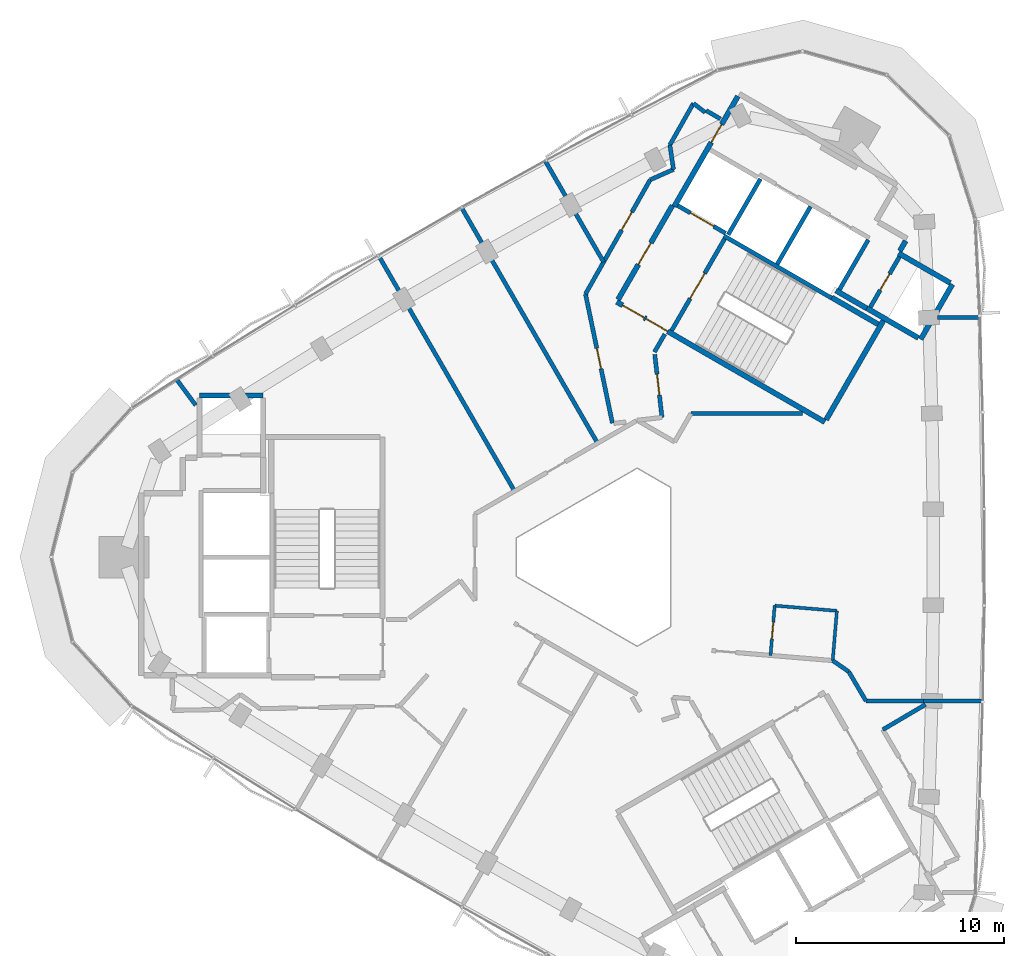
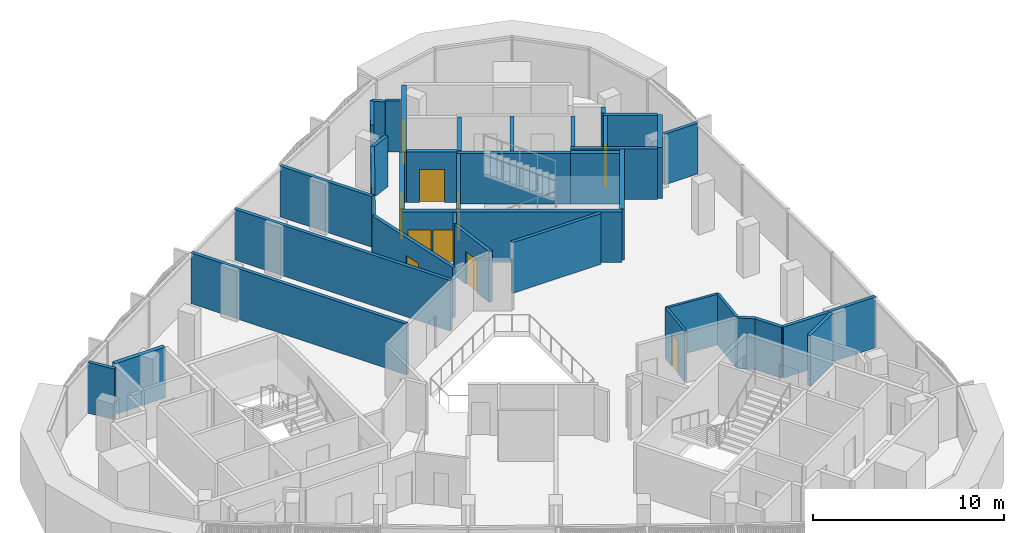
# One storey, part 8 of 12: 41 walls, 11 doors, 11 openings.
"""IFC4 building model written with IfcOpenShell, lengths in metres."""

from ifc_helpers import new_model, si_unit, direction, frame, frame_2d, origin, place, context, subcontext, project, spatial, rectangle, extrude, material, layer, layer_set, type_object, element, fill, save


model = new_model("IFC4")

# Units and contexts
model_context = context("Model", 3, precision=1e-05, world=origin(), true_north=direction((0.0, 1.0)))
body_context = subcontext(model_context, "Body", "Model", "MODEL_VIEW")
ifc_project = project(units=[si_unit("LENGTHUNIT", "METRE"), si_unit("AREAUNIT", "SQUARE_METRE"), si_unit("VOLUMEUNIT", "CUBIC_METRE"), si_unit("PLANEANGLEUNIT", "RADIAN"), si_unit("MASSUNIT", "GRAM", prefix="KILO")], contexts=[model_context])

# Site, building, storey
site_placement = place(None, origin())
site = spatial("IfcSite", under=ifc_project, at=site_placement, CompositionType="ELEMENT")
building_placement = place(site_placement, origin())
building = spatial("IfcBuilding", under=site, at=building_placement, Name="Tamra Quay Hotel Tower", CompositionType="ELEMENT")
storey_placement = place(building_placement, frame((0.0, 0.0, 280.199951171875)))
storey = spatial("IfcBuildingStorey", under=building, at=storey_placement, Name="L71", CompositionType="ELEMENT", Elevation=280.199951171875)

# Wall
ifc_material_1 = material(Name="Concrete M70", Category="concrete")
ifc_layer_1 = layer(ifc_material_1, 0.199951171875)
ifc_layer_set_1 = layer_set([ifc_layer_1], Name="Concrete M70 core wall 200")
wall_type_1 = type_object("IfcWallType", Name="Concrete M70 core wall 200", PredefinedType="SHEAR", material=ifc_layer_set_1)
wall_1_placement = place(storey_placement, frame((10.7431640625, 12.4599609375, 0.0), z_axis=(0.0, 0.0, 1.0), x_axis=(-0.866018848283, 0.500011354289, 0.0)))
element("IfcWall", 1, at=wall_1_placement, inside=storey, type_object=wall_type_1, Name="CW2", PredefinedType="SHEAR", context=body_context, shape_type="SweptSolid", body=[
    extrude(rectangle(XDim=5.973876953125, YDim=0.199951171875, at=frame_2d((2.98681640625, 0.0))), origin(), (0.0, 0.0, 1.0), 3.25),
])

# Wall, opening, door
wall_2_placement = place(storey_placement, frame((3.056640625, 10.89453125, 0.0), z_axis=(0.0, 0.0, 1.0), x_axis=(0.500027839223, 0.866009330205, 0.0)))
wall_2 = element("IfcWall", 2, at=wall_2_placement, inside=storey, type_object=wall_type_1, Name="CW2", PredefinedType="SHEAR", context=body_context, shape_type="SweptSolid", body=[
    extrude(rectangle(XDim=5.097900390625, YDim=0.199951171875, at=frame_2d((2.548828125, 0.0))), origin(), (0.0, 0.0, 1.0), 3.25),
])
opening_1_placement = place(wall_2_placement, frame((1.77392578125, 0.0, 0.0)))
opening_1 = element("IfcOpeningElement", 3, at=opening_1_placement, cuts=wall_2, Name="Opening FD2", PredefinedType="OPENING", context=body_context, shape_type="SweptSolid", body=[
    extrude(rectangle(XDim=1.39990234375, YDim=2.10009765625, at=frame_2d((0.699951171875, 1.050048828125))), frame((0.0, 0.10986328125, 0.0), z_axis=(0.0, -1.0, 0.0), x_axis=(1.0, 0.0, 0.0)), (0.0, 0.0, 1.0), 0.219970703125),
])
ifc_material_2 = material(Name="Core door FD2 1400x2100 LH")
door_type_1 = type_object("IfcDoorType", Name="Core door FD2 1400x2100 LH", OperationType="NOTDEFINED", PredefinedType="DOOR", material=ifc_material_2)
door_1_placement = place(opening_1_placement, origin())
door_1 = element("IfcDoor", 4, at=door_1_placement, inside=storey, type_object=door_type_1, Name="FD2", OperationType="SINGLE_SWING_LEFT", OverallHeight=2.10009765625, OverallWidth=1.39990234375, PredefinedType="DOOR", context=body_context, shape_type="SweptSolid", body=[
    extrude(rectangle(XDim=1.39990234375, YDim=2.10009765625, at=frame_2d((0.699951171875, 1.050048828125))), frame((0.0, 0.02490234375, 0.0), z_axis=(0.0, -1.0, 0.0), x_axis=(1.0, 0.0, 0.0)), (0.0, 0.0, 1.0), 0.050048828125),
])
fill(opening_1, door_1)

# Wall
wall_3_placement = place(storey_placement, frame((8.131591796875, 14.08447265625, 0.0), z_axis=(0.0, 0.0, 1.0), x_axis=(0.500030834389, 0.86600760081, 0.0)))
element("IfcWall", 5, at=wall_3_placement, inside=storey, type_object=wall_type_1, Name="CW2", PredefinedType="SHEAR", context=body_context, shape_type="SweptSolid", body=[
    extrude(rectangle(XDim=3.197998046875, YDim=0.199951171875, at=frame_2d((1.59912109375, 0.0))), origin(), (0.0, 0.0, 1.0), 3.25),
])

# Wall, opening, door
wall_4_placement = place(storey_placement, frame((14.0078125, 14.442138671875, 0.0), z_axis=(0.0, 0.0, 1.0), x_axis=(-0.499986818241, -0.866033014143, 0.0)))
wall_4 = element("IfcWall", 6, at=wall_4_placement, inside=storey, type_object=wall_type_1, Name="CW2", PredefinedType="SHEAR", context=body_context, shape_type="SweptSolid", body=[
    extrude(rectangle(XDim=2.7978515625, YDim=0.199951171875, at=frame_2d((1.39892578125, 0.0))), origin(), (0.0, 0.0, 1.0), 3.25),
])
opening_2_placement = place(wall_4_placement, frame((0.948974609375, 0.0, 0.0)))
opening_2 = element("IfcOpeningElement", 7, at=opening_2_placement, cuts=wall_4, Name="Opening D1", PredefinedType="OPENING", context=body_context, shape_type="SweptSolid", body=[
    extrude(rectangle(XDim=0.89990234375, YDim=2.10009765625, at=frame_2d((0.449951171875, 1.050048828125))), frame((0.0, 0.10986328125, 0.0), z_axis=(0.0, -1.0, 0.0), x_axis=(1.0, 0.0, 0.0)), (0.0, 0.0, 1.0), 0.219970703125),
])
ifc_material_3 = material(Name="Core door D1 900x2100 RH")
door_type_2 = type_object("IfcDoorType", Name="Core door D1 900x2100 RH", OperationType="NOTDEFINED", PredefinedType="DOOR", material=ifc_material_3)
door_2_placement = place(opening_2_placement, origin())
door_2 = element("IfcDoor", 8, at=door_2_placement, inside=storey, type_object=door_type_2, Name="D1", OperationType="SINGLE_SWING_RIGHT", OverallHeight=2.10009765625, OverallWidth=0.89990234375, PredefinedType="DOOR", context=body_context, shape_type="SweptSolid", body=[
    extrude(rectangle(XDim=0.89990234375, YDim=2.10009765625, at=frame_2d((0.449951171875, 1.050048828125))), frame((0.0, 0.02490234375, 0.0), z_axis=(0.0, -1.0, 0.0), x_axis=(1.0, 0.0, 0.0)), (0.0, 0.0, 1.0), 0.050048828125),
])
fill(opening_2, door_2)

# Walls
wall_5_placement = place(storey_placement, frame((12.50244140625, 15.2548828125, 0.0), z_axis=(0.0, 0.0, 1.0), x_axis=(-0.499965018551, -0.866045599391, 0.0)))
element("IfcWall", 9, at=wall_5_placement, inside=storey, type_object=wall_type_1, Name="CW2", PredefinedType="SHEAR", context=body_context, shape_type="SweptSolid", body=[
    extrude(rectangle(XDim=2.759033203125, YDim=0.199951171875, at=frame_2d((1.37939453125, 0.0))), origin(), (0.0, 0.0, 1.0), 3.25),
])
wall_6_placement = place(storey_placement, frame((7.324462890625, 18.1865234375, 0.0), z_axis=(0.0, 0.0, 1.0), x_axis=(-0.499967891604, -0.866043940782, 0.0)))
element("IfcWall", 10, at=wall_6_placement, inside=storey, type_object=wall_type_1, Name="CW2", PredefinedType="SHEAR", context=body_context, shape_type="SweptSolid", body=[
    extrude(rectangle(XDim=3.099853515625, YDim=0.199951171875, at=frame_2d((1.5498046875, 0.0))), origin(), (0.0, 0.0, 1.0), 3.25),
])

# Wall, opening, door
wall_7_placement = place(storey_placement, frame((5.646240234375, 15.575927734375, 0.0), z_axis=(0.0, 0.0, 1.0), x_axis=(-0.866018407898, 0.500012117035, 0.0)))
wall_7 = element("IfcWall", 11, at=wall_7_placement, inside=storey, type_object=wall_type_1, Name="CW2", PredefinedType="SHEAR", context=body_context, shape_type="SweptSolid", body=[
    extrude(rectangle(XDim=2.65087890625, YDim=0.199951171875, at=frame_2d((1.325439453125, 0.0))), origin(), (0.0, 0.0, 1.0), 3.25),
])
opening_3_placement = place(wall_7_placement, frame((0.65185546875, 0.0, 0.0)))
opening_3 = element("IfcOpeningElement", 12, at=opening_3_placement, cuts=wall_7, Name="Opening LD", PredefinedType="OPENING", context=body_context, shape_type="SweptSolid", body=[
    extrude(rectangle(XDim=1.300048828125, YDim=2.10009765625, at=frame_2d((0.64990234375, 1.050048828125))), frame((0.0, 0.10986328125, 0.0), z_axis=(0.0, -1.0, 0.0), x_axis=(1.0, 0.0, 0.0)), (0.0, 0.0, 1.0), 0.219970703125),
])
ifc_material_4 = material(Name="Landing door LD 1300 sliding to left")
door_type_3 = type_object("IfcDoorType", Name="Landing door LD 1300 sliding to left", OperationType="NOTDEFINED", PredefinedType="DOOR", material=ifc_material_4)
door_3_placement = place(opening_3_placement, origin())
door_3 = element("IfcDoor", 13, at=door_3_placement, inside=storey, type_object=door_type_3, Name="LD", OperationType="SLIDING_TO_LEFT", OverallHeight=2.10009765625, OverallWidth=1.300048828125, PredefinedType="DOOR", context=body_context, shape_type="SweptSolid", body=[
    extrude(rectangle(XDim=1.300048828125, YDim=2.10009765625, at=frame_2d((0.64990234375, 1.050048828125))), frame((0.0, 0.02490234375, 0.0), z_axis=(0.0, -1.0, 0.0), x_axis=(1.0, 0.0, 0.0)), (0.0, 0.0, 1.0), 0.050048828125),
])
fill(opening_3, door_3)

# Wall
ifc_layer_2 = layer(ifc_material_1, 0.25)
ifc_layer_set_2 = layer_set([ifc_layer_2], Name="Concrete M70 core wall 250")
wall_type_2 = type_object("IfcWallType", Name="Concrete M70 core wall 250", PredefinedType="SHEAR", material=ifc_layer_set_2)
wall_8_placement = place(storey_placement, frame((-19.63720703125, 7.77490234375, 0.0), z_axis=(0.0, 0.0, 1.0), x_axis=(1.0, 0.0, 0.0)))
element("IfcWall", 14, at=wall_8_placement, inside=storey, type_object=wall_type_2, Name="CW1", PredefinedType="SHEAR", context=body_context, shape_type="SweptSolid", body=[
    extrude(rectangle(XDim=3.0498046875, YDim=0.25, at=frame_2d((1.52490234375, 0.0))), origin(), (0.0, 0.0, 1.0), 3.25),
])

# Wall, openings, doors
wall_9_placement = place(storey_placement, frame((10.419921875, 6.497802734375, 0.0), z_axis=(0.0, 0.0, 1.0), x_axis=(-0.866021906294, 0.500006057782, 0.0)))
wall_9 = element("IfcWall", 15, at=wall_9_placement, inside=storey, type_object=wall_type_2, Name="CW1", PredefinedType="SHEAR", context=body_context, shape_type="SweptSolid", body=[
    extrude(rectangle(XDim=11.550048828125, YDim=0.25, at=frame_2d((5.77490234375, 0.0))), origin(), (0.0, 0.0, 1.0), 3.25),
])
opening_4_placement = place(wall_9_placement, frame((10.02490234375, 0.0, 0.0)))
opening_4 = element("IfcOpeningElement", 16, at=opening_4_placement, cuts=wall_9, Name="Opening FD1", PredefinedType="OPENING", context=body_context, shape_type="SweptSolid", body=[
    extrude(rectangle(XDim=1.199951171875, YDim=2.10009765625, at=frame_2d((0.60009765625, 1.050048828125))), frame((0.0, 0.135009765625, 0.0), z_axis=(0.0, -1.0, 0.0), x_axis=(1.0, 0.0, 0.0)), (0.0, 0.0, 1.0), 0.27001953125),
])
opening_5_placement = place(wall_9_placement, frame((8.724853515625, 0.0, 0.0)))
opening_5 = element("IfcOpeningElement", 17, at=opening_5_placement, cuts=wall_9, Name="Opening FD1", PredefinedType="OPENING", context=body_context, shape_type="SweptSolid", body=[
    extrude(rectangle(XDim=1.199951171875, YDim=2.10009765625, at=frame_2d((0.60009765625, 1.050048828125))), frame((0.0, 0.135009765625, 0.0), z_axis=(0.0, -1.0, 0.0), x_axis=(1.0, 0.0, 0.0)), (0.0, 0.0, 1.0), 0.27001953125),
])
ifc_material_5 = material(Name="Core door FD1 1200x2100 LH")
door_type_4 = type_object("IfcDoorType", Name="Core door FD1 1200x2100 LH", OperationType="NOTDEFINED", PredefinedType="DOOR", material=ifc_material_5)
door_4_placement = place(opening_4_placement, origin())
door_4 = element("IfcDoor", 18, at=door_4_placement, inside=storey, type_object=door_type_4, Name="FD1", OperationType="SINGLE_SWING_LEFT", OverallHeight=2.10009765625, OverallWidth=1.199951171875, PredefinedType="DOOR", context=body_context, shape_type="SweptSolid", body=[
    extrude(rectangle(XDim=1.199951171875, YDim=2.10009765625, at=frame_2d((0.60009765625, 1.050048828125))), frame((0.0, 0.02490234375, 0.0), z_axis=(0.0, -1.0, 0.0), x_axis=(1.0, 0.0, 0.0)), (0.0, 0.0, 1.0), 0.050048828125),
])
fill(opening_4, door_4)
ifc_material_6 = material(Name="Core door FD1 1200x2100 RH")
door_type_5 = type_object("IfcDoorType", Name="Core door FD1 1200x2100 RH", OperationType="NOTDEFINED", PredefinedType="DOOR", material=ifc_material_6)
door_5_placement = place(opening_5_placement, origin())
door_5 = element("IfcDoor", 19, at=door_5_placement, inside=storey, type_object=door_type_5, Name="FD1", OperationType="SINGLE_SWING_RIGHT", OverallHeight=2.10009765625, OverallWidth=1.199951171875, PredefinedType="DOOR", context=body_context, shape_type="SweptSolid", body=[
    extrude(rectangle(XDim=1.199951171875, YDim=2.10009765625, at=frame_2d((0.60009765625, 1.050048828125))), frame((0.0, 0.02490234375, 0.0), z_axis=(0.0, -1.0, 0.0), x_axis=(1.0, 0.0, 0.0)), (0.0, 0.0, 1.0), 0.050048828125),
])
fill(opening_5, door_5)

# Wall, opening, door
wall_10_placement = place(storey_placement, frame((3.178955078125, 16.856201171875, 0.0), z_axis=(0.0, 0.0, 1.0), x_axis=(0.500001955336, 0.866024274868, 0.0)))
wall_10 = element("IfcWall", 20, at=wall_10_placement, inside=storey, type_object=wall_type_2, Name="CW1", PredefinedType="SHEAR", context=body_context, shape_type="SweptSolid", body=[
    extrude(rectangle(XDim=6.12451171875, YDim=0.25, at=frame_2d((3.062255859375, 0.0))), origin(), (0.0, 0.0, 1.0), 3.25),
])
opening_6_placement = place(wall_10_placement, frame((3.562744140625, 0.0, 0.0)))
opening_6 = element("IfcOpeningElement", 21, at=opening_6_placement, cuts=wall_10, Name="Opening FD3", PredefinedType="OPENING", context=body_context, shape_type="SweptSolid", body=[
    extrude(rectangle(XDim=1.0, YDim=2.10009765625, at=frame_2d((0.5, 1.050048828125))), frame((0.0, 0.135009765625, 0.0), z_axis=(0.0, -1.0, 0.0), x_axis=(1.0, 0.0, 0.0)), (0.0, 0.0, 1.0), 0.27001953125),
])
ifc_material_7 = material(Name="Core door FD3 1000x2100 LH")
door_type_6 = type_object("IfcDoorType", Name="Core door FD3 1000x2100 LH", OperationType="NOTDEFINED", PredefinedType="DOOR", material=ifc_material_7)
door_6_placement = place(opening_6_placement, origin())
door_6 = element("IfcDoor", 22, at=door_6_placement, inside=storey, type_object=door_type_6, Name="FD3", OperationType="SINGLE_SWING_LEFT", OverallHeight=2.10009765625, OverallWidth=1.0, PredefinedType="DOOR", context=body_context, shape_type="SweptSolid", body=[
    extrude(rectangle(XDim=1.0, YDim=2.10009765625, at=frame_2d((0.5, 1.050048828125))), frame((0.0, 0.02490234375, 0.0), z_axis=(0.0, -1.0, 0.0), x_axis=(1.0, 0.0, 0.0)), (0.0, 0.0, 1.0), 0.050048828125),
])
fill(opening_6, door_6)

wall_11_placement = place(storey_placement, frame((0.47998046875, 12.38134765625, 0.0), z_axis=(0.0, 0.0, 1.0), x_axis=(0.49999885962, 0.866026062182, 0.0)))
wall_11 = element("IfcWall", 23, at=wall_11_placement, inside=storey, type_object=wall_type_2, Name="CW1", PredefinedType="SHEAR", context=body_context, shape_type="SweptSolid", body=[
    extrude(rectangle(XDim=5.224609375, YDim=0.25, at=frame_2d((2.6123046875, 0.0))), origin(), (0.0, 0.0, 1.0), 3.25),
])
opening_7_placement = place(wall_11_placement, frame((1.94970703125, 0.0, 0.0)))
opening_7 = element("IfcOpeningElement", 24, at=opening_7_placement, cuts=wall_11, Name="Opening D2", PredefinedType="OPENING", context=body_context, shape_type="SweptSolid", body=[
    extrude(rectangle(XDim=1.199951171875, YDim=2.10009765625, at=frame_2d((0.60009765625, 1.050048828125))), frame((0.0, 0.135009765625, 0.0), z_axis=(0.0, -1.0, 0.0), x_axis=(1.0, 0.0, 0.0)), (0.0, 0.0, 1.0), 0.27001953125),
])
ifc_material_8 = material(Name="Core door D2 1200x2100 RH")
door_type_7 = type_object("IfcDoorType", Name="Core door D2 1200x2100 RH", OperationType="NOTDEFINED", PredefinedType="DOOR", material=ifc_material_8)
door_7_placement = place(opening_7_placement, origin())
door_7 = element("IfcDoor", 25, at=door_7_placement, inside=storey, type_object=door_type_7, Name="D2", OperationType="SINGLE_SWING_RIGHT", OverallHeight=2.10009765625, OverallWidth=1.199951171875, PredefinedType="DOOR", context=body_context, shape_type="SweptSolid", body=[
    extrude(rectangle(XDim=1.199951171875, YDim=2.10009765625, at=frame_2d((0.60009765625, 1.050048828125))), frame((0.0, 0.02490234375, 0.0), z_axis=(0.0, -1.0, 0.0), x_axis=(1.0, 0.0, 0.0)), (0.0, 0.0, 1.0), 0.050048828125),
])
fill(opening_7, door_7)

# Walls
wall_12_placement = place(storey_placement, frame((13.237548828125, 11.3779296875, 0.0), z_axis=(0.0, 0.0, 1.0), x_axis=(-0.500008851346, -0.866020293397, 0.0)))
element("IfcWall", 26, at=wall_12_placement, inside=storey, type_object=wall_type_2, Name="CW1", PredefinedType="SHEAR", context=body_context, shape_type="SweptSolid", body=[
    extrude(rectangle(XDim=5.509765625, YDim=0.25, at=frame_2d((2.7548828125, 0.0))), origin(), (0.0, 0.0, 1.0), 3.25),
])
wall_13_placement = place(storey_placement, frame((16.552001953125, 13.118896484375, 0.0), z_axis=(0.0, 0.0, 1.0), x_axis=(-0.499978833458, -0.866037623948, 0.0)))
element("IfcWall", 27, at=wall_13_placement, inside=storey, type_object=wall_type_2, Name="CW1", PredefinedType="SHEAR", context=body_context, shape_type="SweptSolid", body=[
    extrude(rectangle(XDim=3.050048828125, YDim=0.25, at=frame_2d((1.52490234375, 0.0))), origin(), (0.0, 0.0, 1.0), 3.25),
])
wall_14_placement = place(storey_placement, frame((14.91845703125, 10.540283203125, 0.0), z_axis=(0.0, 0.0, 1.0), x_axis=(-0.866063538972, 0.499933942099, 0.0)))
element("IfcWall", 28, at=wall_14_placement, inside=storey, type_object=wall_type_2, Name="CW1", PredefinedType="SHEAR", context=body_context, shape_type="SweptSolid", body=[
    extrude(rectangle(XDim=2.86474609375, YDim=0.25, at=frame_2d((1.432373046875, 0.0))), origin(), (0.0, 0.0, 1.0), 3.25),
])
wall_15_placement = place(storey_placement, frame((13.962646484375, 14.61376953125, 0.0), z_axis=(0.0, 0.0, 1.0), x_axis=(0.866042235819, -0.499970844928, 0.0)))
element("IfcWall", 29, at=wall_15_placement, inside=storey, type_object=wall_type_2, Name="CW1", PredefinedType="SHEAR", context=body_context, shape_type="SweptSolid", body=[
    extrude(rectangle(XDim=2.864501953125, YDim=0.25, at=frame_2d((1.43212890625, 0.0))), origin(), (0.0, 0.0, 1.0), 3.25),
])
wall_16_placement = place(storey_placement, frame((10.756591796875, 12.481201171875, 0.0), z_axis=(0.0, 0.0, 1.0), x_axis=(0.866022940537, -0.500004266446, 0.0)))
element("IfcWall", 30, at=wall_16_placement, inside=storey, type_object=wall_type_2, Name="CW1", PredefinedType="SHEAR", context=body_context, shape_type="SweptSolid", body=[
    extrude(rectangle(XDim=2.57470703125, YDim=0.25, at=frame_2d((1.287353515625, 0.0))), origin(), (0.0, 0.0, 1.0), 3.25),
])
wall_17_placement = place(storey_placement, frame((12.4326171875, 11.9638671875, 0.0), z_axis=(0.0, 0.0, 1.0), x_axis=(-0.866038183914, 0.499977863513, 0.0)))
element("IfcWall", 31, at=wall_17_placement, inside=storey, type_object=wall_type_2, Name="CW1", PredefinedType="SHEAR", context=body_context, shape_type="SweptSolid", body=[
    extrude(rectangle(XDim=1.7099609375, YDim=0.25, at=frame_2d((0.85498046875, 0.0))), origin(), (0.0, 0.0, 1.0), 3.25),
])
wall_18_placement = place(storey_placement, frame((14.304931640625, 15.206787109375, 0.0), z_axis=(0.0, 0.0, 1.0), x_axis=(-0.499848422343, -0.866112899501, 0.0)))
element("IfcWall", 32, at=wall_18_placement, inside=storey, type_object=wall_type_2, Name="CW1", PredefinedType="SHEAR", context=body_context, shape_type="SweptSolid", body=[
    extrude(rectangle(XDim=0.559326171875, YDim=0.25, at=frame_2d((0.27978515625, 0.0))), origin(), (0.0, 0.0, 1.0), 3.25),
])

# Wall, opening, door
ifc_material_9 = material(Name="Partition corridor wall")
ifc_layer_3 = layer(ifc_material_9, 0.199951171875)
ifc_layer_set_3 = layer_set([ifc_layer_3], Name="Partition corridor wall")
wall_type_3 = type_object("IfcWallType", Name="Partition corridor wall", PredefinedType="PARTITIONING", material=ifc_layer_set_3)
wall_19_placement = place(storey_placement, frame((-1.085693359375, 12.650390625, 0.0), z_axis=(0.0, 0.0, 1.0), x_axis=(0.492563383526, 0.870276572826, 0.0)))
wall_19 = element("IfcWall", 33, at=wall_19_placement, inside=storey, type_object=wall_type_3, Name="W-C", PredefinedType="PARTITIONING", context=body_context, shape_type="SweptSolid", body=[
    extrude(rectangle(XDim=6.30908203125, YDim=0.199951171875, at=frame_2d((3.154541015625, 0.0))), origin(), (0.0, 0.0, 1.0), 3.25),
])
opening_8_placement = place(wall_19_placement, frame((3.533203125, 0.0, 0.0)))
opening_8 = element("IfcOpeningElement", 34, at=opening_8_placement, cuts=wall_19, Name="Opening L71-D005", PredefinedType="OPENING", context=body_context, shape_type="SweptSolid", body=[
    extrude(rectangle(XDim=1.0, YDim=2.10009765625, at=frame_2d((0.5, 1.050048828125))), frame((0.0, 0.10986328125, 0.0), z_axis=(0.0, -1.0, 0.0), x_axis=(1.0, 0.0, 0.0)), (0.0, 0.0, 1.0), 0.219970703125),
])
ifc_material_10 = material(Name="Door guest room 1000x2100")
door_type_8 = type_object("IfcDoorType", Name="Door guest room 1000x2100", OperationType="NOTDEFINED", PredefinedType="DOOR", material=ifc_material_10)
door_8_placement = place(opening_8_placement, frame((1.0, 0.0, 0.0), z_axis=(0.0, 0.0, 1.0), x_axis=(-1.0, 0.0, 0.0)))
door_8 = element("IfcDoor", 35, at=door_8_placement, inside=storey, type_object=door_type_8, Name="L71-D005", OperationType="SINGLE_SWING_LEFT", OverallHeight=2.10009765625, OverallWidth=1.0, PredefinedType="DOOR", context=body_context, shape_type="SweptSolid", body=[
    extrude(rectangle(XDim=1.0, YDim=2.10009765625, at=frame_2d((0.5, 1.050048828125))), frame((0.0, 0.02490234375, 0.0), z_axis=(0.0, -1.0, 0.0), x_axis=(1.0, 0.0, 0.0)), (0.0, 0.0, 1.0), 0.050048828125),
])
fill(opening_8, door_8)

wall_20_placement = place(storey_placement, frame((-1.0849609375, 12.64990234375, 0.0), z_axis=(0.0, 0.0, 1.0), x_axis=(0.203998862084, -0.97897112535, 0.0)))
wall_20 = element("IfcWall", 36, at=wall_20_placement, inside=storey, type_object=wall_type_3, Name="W-C", PredefinedType="PARTITIONING", context=body_context, shape_type="SweptSolid", body=[
    extrude(rectangle(XDim=6.338134765625, YDim=0.199951171875, at=frame_2d((3.1689453125, 0.0))), origin(), (0.0, 0.0, 1.0), 3.25),
])
opening_9_placement = place(wall_20_placement, frame((2.669189453125, 0.0, 0.0)))
opening_9 = element("IfcOpeningElement", 37, at=opening_9_placement, cuts=wall_20, Name="Opening L71-D006", PredefinedType="OPENING", context=body_context, shape_type="SweptSolid", body=[
    extrude(rectangle(XDim=1.0, YDim=2.10009765625, at=frame_2d((0.5, 1.050048828125))), frame((0.0, 0.10986328125, 0.0), z_axis=(0.0, -1.0, 0.0), x_axis=(1.0, 0.0, 0.0)), (0.0, 0.0, 1.0), 0.219970703125),
])
door_9_placement = place(opening_9_placement, frame((1.0, 0.0, 0.0), z_axis=(0.0, 0.0, 1.0), x_axis=(-1.0, 0.0, 0.0)))
door_9 = element("IfcDoor", 38, at=door_9_placement, inside=storey, type_object=door_type_8, Name="L71-D006", OperationType="SINGLE_SWING_LEFT", OverallHeight=2.10009765625, OverallWidth=1.0, PredefinedType="DOOR", context=body_context, shape_type="SweptSolid", body=[
    extrude(rectangle(XDim=1.0, YDim=2.10009765625, at=frame_2d((0.5, 1.050048828125))), frame((0.0, 0.02490234375, 0.0), z_axis=(0.0, -1.0, 0.0), x_axis=(1.0, 0.0, 0.0)), (0.0, 0.0, 1.0), 0.050048828125),
])
fill(opening_9, door_9)

# Wall
wall_21_placement = place(storey_placement, frame((2.02197265625, 18.14111328125, 0.0), z_axis=(0.0, 0.0, 1.0), x_axis=(0.914212683456, 0.405234709036, 0.0)))
element("IfcWall", 39, at=wall_21_placement, inside=storey, type_object=wall_type_3, Name="W-C", PredefinedType="PARTITIONING", context=body_context, shape_type="SweptSolid", body=[
    extrude(rectangle(XDim=1.228515625, YDim=0.199951171875, at=frame_2d((0.6142578125, 0.0))), origin(), (0.0, 0.0, 1.0), 3.25),
])

# Wall, opening, door
wall_22_placement = place(storey_placement, frame((2.592041015625, 6.718994140625, 0.0), z_axis=(0.0, 0.0, 1.0), x_axis=(-0.114027951455, 0.993477541914, 0.0)))
wall_22 = element("IfcWall", 40, at=wall_22_placement, inside=storey, type_object=wall_type_3, Name="W-C", PredefinedType="PARTITIONING", context=body_context, shape_type="SweptSolid", body=[
    extrude(rectangle(XDim=3.046630859375, YDim=0.199951171875, at=frame_2d((1.5234375, 0.0))), origin(), (0.0, 0.0, 1.0), 3.25),
])
opening_10_placement = place(wall_22_placement, frame((1.082763671875, 0.0, 0.0)))
opening_10 = element("IfcOpeningElement", 41, at=opening_10_placement, cuts=wall_22, Name="Opening L71-D004", PredefinedType="OPENING", context=body_context, shape_type="SweptSolid", body=[
    extrude(rectangle(XDim=1.0, YDim=2.10009765625, at=frame_2d((0.5, 1.050048828125))), frame((0.0, 0.10986328125, 0.0), z_axis=(0.0, -1.0, 0.0), x_axis=(1.0, 0.0, 0.0)), (0.0, 0.0, 1.0), 0.219970703125),
])
door_10_placement = place(opening_10_placement, origin())
door_10 = element("IfcDoor", 42, at=door_10_placement, inside=storey, type_object=door_type_8, Name="L71-D004", OperationType="SINGLE_SWING_LEFT", OverallHeight=2.10009765625, OverallWidth=1.0, PredefinedType="DOOR", context=body_context, shape_type="SweptSolid", body=[
    extrude(rectangle(XDim=1.0, YDim=2.10009765625, at=frame_2d((0.5, 1.050048828125))), frame((0.0, 0.02490234375, 0.0), z_axis=(0.0, -1.0, 0.0), x_axis=(1.0, 0.0, 0.0)), (0.0, 0.0, 1.0), 0.050048828125),
])
fill(opening_10, door_10)

# Walls
wall_23_placement = place(storey_placement, frame((2.23095703125, 9.864013671875, 0.0), z_axis=(0.0, 0.0, 1.0), x_axis=(0.499942098031, 0.866058830921, 0.0)))
element("IfcWall", 43, at=wall_23_placement, inside=storey, type_object=wall_type_3, Name="W-C", PredefinedType="PARTITIONING", context=body_context, shape_type="SweptSolid", body=[
    extrude(rectangle(XDim=0.994140625, YDim=0.199951171875, at=frame_2d((0.4970703125, 0.0))), origin(), (0.0, 0.0, 1.0), 3.25),
])
wall_24_placement = place(storey_placement, frame((2.970703125, 19.817138671875, 0.0), z_axis=(0.0, 0.0, 1.0), x_axis=(0.492596700535, 0.870257715061, 0.0)))
element("IfcWall", 44, at=wall_24_placement, inside=storey, type_object=wall_type_3, Name="W-C", PredefinedType="PARTITIONING", context=body_context, shape_type="SweptSolid", body=[
    extrude(rectangle(XDim=2.296142578125, YDim=0.199951171875, at=frame_2d((1.14794921875, 0.0))), origin(), (0.0, 0.0, 1.0), 3.25),
])
wall_25_placement = place(storey_placement, frame((2.970947265625, 19.81689453125, 0.0), z_axis=(0.0, 0.0, 1.0), x_axis=(0.146184555477, -0.989257335449, 0.0)))
element("IfcWall", 45, at=wall_25_placement, inside=storey, type_object=wall_type_3, Name="W-C", PredefinedType="PARTITIONING", context=body_context, shape_type="SweptSolid", body=[
    extrude(rectangle(XDim=1.190673828125, YDim=0.199951171875, at=frame_2d((0.59521484375, 0.0))), origin(), (0.0, 0.0, 1.0), 2.35009765625),
])
wall_26_placement = place(storey_placement, frame((4.10205078125, 21.81591796875, 0.0), z_axis=(0.0, 0.0, 1.0), x_axis=(0.793783006464, -0.608201067615, 0.0)))
element("IfcWall", 46, at=wall_26_placement, inside=storey, type_object=wall_type_3, Name="W-C", PredefinedType="PARTITIONING", context=body_context, shape_type="SweptSolid", body=[
    extrude(rectangle(XDim=0.711669921875, YDim=0.199951171875, at=frame_2d((0.35595703125, 0.0))), origin(), (0.0, 0.0, 1.0), 3.25),
])
wall_27_placement = place(storey_placement, frame((4.716064453125, 21.468017578125, 0.0), z_axis=(0.0, 0.0, 1.0), x_axis=(0.865912682783, -0.500195187698, 0.0)))
element("IfcWall", 47, at=wall_27_placement, inside=storey, type_object=wall_type_3, Name="W-C", PredefinedType="PARTITIONING", context=body_context, shape_type="SweptSolid", body=[
    extrude(rectangle(XDim=0.789794921875, YDim=0.199951171875, at=frame_2d((0.39501953125, 0.0))), origin(), (0.0, 0.0, 1.0), 3.25),
])
wall_28_placement = place(storey_placement, frame((10.800048828125, -4.969970703125, 0.0), z_axis=(0.0, 0.0, 1.0), x_axis=(0.822107837165, -0.569331804902, 0.0)))
element("IfcWall", 48, at=wall_28_placement, inside=storey, type_object=wall_type_3, Name="W-C", PredefinedType="PARTITIONING", context=body_context, shape_type="SweptSolid", body=[
    extrude(rectangle(XDim=0.937744140625, YDim=0.199951171875, at=frame_2d((0.46875, 0.0))), origin(), (0.0, 0.0, 1.0), 3.25),
])
wall_29_placement = place(storey_placement, frame((11.571044921875, -5.5048828125, 0.0), z_axis=(0.0, 0.0, 1.0), x_axis=(0.507321116571, -0.86175709146, 0.0)))
element("IfcWall", 49, at=wall_29_placement, inside=storey, type_object=wall_type_3, Name="W-C", PredefinedType="PARTITIONING", context=body_context, shape_type="SweptSolid", body=[
    extrude(rectangle(XDim=1.63037109375, YDim=0.199951171875, at=frame_2d((0.815185546875, 0.0))), origin(), (0.0, 0.0, 1.0), 3.25),
])
wall_30_placement = place(storey_placement, frame((12.39794921875, -6.909912109375, 0.0), z_axis=(0.0, 0.0, 1.0), x_axis=(1.0, 0.0, 0.0)))
element("IfcWall", 50, at=wall_30_placement, inside=storey, type_object=wall_type_3, Name="W-C", PredefinedType="PARTITIONING", context=body_context, shape_type="SweptSolid", body=[
    extrude(rectangle(XDim=2.761962890625, YDim=0.199951171875, at=frame_2d((1.380859375, 0.0))), origin(), (0.0, 0.0, 1.0), 3.25),
])
wall_31_placement = place(storey_placement, frame((13.2099609375, -8.2890625, 0.0), z_axis=(0.0, 0.0, 1.0), x_axis=(0.861654599216, 0.507495174017, 0.0)))
element("IfcWall", 51, at=wall_31_placement, inside=storey, type_object=wall_type_3, Name="W-C", PredefinedType="PARTITIONING", context=body_context, shape_type="SweptSolid", body=[
    extrude(rectangle(XDim=2.38037109375, YDim=0.199951171875, at=frame_2d((1.190185546875, 0.0))), origin(), (0.0, 0.0, 1.0), 3.25),
])

# Wall, opening, door
ifc_material_11 = material(Name="Partition en-suite wall")
ifc_layer_4 = layer(ifc_material_11, 0.14990234375)
ifc_layer_set_4 = layer_set([ifc_layer_4], Name="Partition en-suite wall")
wall_type_4 = type_object("IfcWallType", Name="Partition en-suite wall", PredefinedType="PARTITIONING", material=ifc_layer_set_4)
wall_32_placement = place(storey_placement, frame((7.80908203125, -4.720947265625, 0.0), z_axis=(0.0, 0.0, 1.0), x_axis=(0.08303704791, 0.996546460871, 0.0)))
wall_32 = element("IfcWall", 52, at=wall_32_placement, inside=storey, type_object=wall_type_4, Name="W-E", PredefinedType="PARTITIONING", context=body_context, shape_type="SweptSolid", body=[
    extrude(rectangle(XDim=2.396240234375, YDim=0.14990234375, at=frame_2d((1.1982421875, 0.0))), origin(), (0.0, 0.0, 1.0), 3.25),
])
opening_11_placement = place(wall_32_placement, frame((0.799560546875, 0.0, 0.0)))
opening_11 = element("IfcOpeningElement", 53, at=opening_11_placement, cuts=wall_32, Name="Opening L71-D003", PredefinedType="OPENING", context=body_context, shape_type="SweptSolid", body=[
    extrude(rectangle(XDim=0.800048828125, YDim=2.10009765625, at=frame_2d((0.39990234375, 1.050048828125))), frame((0.0, 0.0849609375, 0.0), z_axis=(0.0, -1.0, 0.0), x_axis=(1.0, 0.0, 0.0)), (0.0, 0.0, 1.0), 0.169921875),
])
ifc_material_12 = material(Name="Door en-suite 800x2100")
door_type_9 = type_object("IfcDoorType", Name="Door en-suite 800x2100", OperationType="NOTDEFINED", PredefinedType="DOOR", material=ifc_material_12)
door_11_placement = place(opening_11_placement, frame((0.800048828125, 0.0, 0.0), z_axis=(0.0, 0.0, 1.0), x_axis=(-1.0, 0.0, 0.0)))
door_11 = element("IfcDoor", 54, at=door_11_placement, inside=storey, type_object=door_type_9, Name="L71-D003", OperationType="SINGLE_SWING_LEFT", OverallHeight=2.10009765625, OverallWidth=0.800048828125, PredefinedType="DOOR", context=body_context, shape_type="SweptSolid", body=[
    extrude(rectangle(XDim=0.800048828125, YDim=2.10009765625, at=frame_2d((0.39990234375, 1.050048828125))), frame((0.0, 0.02490234375, 0.0), z_axis=(0.0, -1.0, 0.0), x_axis=(1.0, 0.0, 0.0)), (0.0, 0.0, 1.0), 0.050048828125),
])
fill(opening_11, door_11)

# Walls
wall_33_placement = place(storey_placement, frame((8.010009765625, -2.330078125, 0.0), z_axis=(0.0, 0.0, 1.0), x_axis=(0.996572126957, -0.082728445969, 0.0)))
element("IfcWall", 55, at=wall_33_placement, inside=storey, type_object=wall_type_4, Name="W-E", PredefinedType="PARTITIONING", context=body_context, shape_type="SweptSolid", body=[
    extrude(rectangle(XDim=2.995361328125, YDim=0.14990234375, at=frame_2d((1.49755859375, 0.0))), origin(), (0.0, 0.0, 1.0), 3.25),
])
wall_34_placement = place(storey_placement, frame((10.799072265625, -4.969970703125, 0.0), z_axis=(0.0, 0.0, 1.0), x_axis=(0.08296965374, 0.996552074183, 0.0)))
element("IfcWall", 56, at=wall_34_placement, inside=storey, type_object=wall_type_4, Name="W-E", PredefinedType="PARTITIONING", context=body_context, shape_type="SweptSolid", body=[
    extrude(rectangle(XDim=2.398193359375, YDim=0.14990234375, at=frame_2d((1.19921875, 0.0))), origin(), (0.0, 0.0, 1.0), 3.25),
])
ifc_material_13 = material(Name="Partition party wall")
ifc_layer_5 = layer(ifc_material_13, 0.199951171875)
ifc_layer_set_5 = layer_set([ifc_layer_5], Name="Partition party wall")
wall_type_5 = type_object("IfcWallType", Name="Partition party wall", PredefinedType="PARTITIONING", material=ifc_layer_set_5)
wall_35_placement = place(storey_placement, frame((-20.737548828125, 8.5390625, 0.0), z_axis=(0.0, 0.0, 1.0), x_axis=(0.595694844153, -0.803210839475, 0.0)))
element("IfcWall", 57, at=wall_35_placement, inside=storey, type_object=wall_type_5, Name="W-P", PredefinedType="PARTITIONING", context=body_context, shape_type="SweptSolid", body=[
    extrude(rectangle(XDim=1.536376953125, YDim=0.199951171875, at=frame_2d((0.76806640625, 0.0))), origin(), (0.0, 0.0, 1.0), 3.25),
])
wall_36_placement = place(storey_placement, frame((-11.03466796875, 14.505126953125, 0.0), z_axis=(0.0, 0.0, 1.0), x_axis=(0.499989597041, -0.866031409852, 0.0)))
element("IfcWall", 58, at=wall_36_placement, inside=storey, type_object=wall_type_5, Name="W-P", PredefinedType="PARTITIONING", context=body_context, shape_type="SweptSolid", body=[
    extrude(rectangle(XDim=13.079345703125, YDim=0.199951171875, at=frame_2d((6.53955078125, 0.0))), origin(), (0.0, 0.0, 1.0), 3.25),
])
wall_37_placement = place(storey_placement, frame((-7.04443359375, 16.808837890625, 0.0), z_axis=(0.0, 0.0, 1.0), x_axis=(0.499997679687, -0.866026743414, 0.0)))
element("IfcWall", 59, at=wall_37_placement, inside=storey, type_object=wall_type_5, Name="W-P", PredefinedType="PARTITIONING", context=body_context, shape_type="SweptSolid", body=[
    extrude(rectangle(XDim=13.0791015625, YDim=0.199951171875, at=frame_2d((6.53955078125, 0.0))), origin(), (0.0, 0.0, 1.0), 3.25),
])
wall_38_placement = place(storey_placement, frame((-3.01953125, 19.0498046875, 0.0), z_axis=(0.0, 0.0, 1.0), x_axis=(0.499943402613, -0.866058077835, 0.0)))
element("IfcWall", 60, at=wall_38_placement, inside=storey, type_object=wall_type_5, Name="W-P", PredefinedType="PARTITIONING", context=body_context, shape_type="SweptSolid", body=[
    extrude(rectangle(XDim=5.611572265625, YDim=0.199951171875, at=frame_2d((2.8056640625, 0.0))), origin(), (0.0, 0.0, 1.0), 3.25),
])
wall_39_placement = place(storey_placement, frame((3.989990234375, 6.909912109375, 0.0), z_axis=(0.0, 0.0, 1.0), x_axis=(1.0, 0.0, 0.0)))
element("IfcWall", 61, at=wall_39_placement, inside=storey, type_object=wall_type_5, Name="W-P", PredefinedType="PARTITIONING", context=body_context, shape_type="SweptSolid", body=[
    extrude(rectangle(XDim=5.34619140625, YDim=0.199951171875, at=frame_2d((2.673095703125, 0.0))), origin(), (0.0, 0.0, 1.0), 3.25),
])
wall_40_placement = place(storey_placement, frame((15.160888671875, -6.909912109375, 0.0), z_axis=(0.0, 0.0, 1.0), x_axis=(1.0, 0.0, 0.0)))
element("IfcWall", 62, at=wall_40_placement, inside=storey, type_object=wall_type_5, Name="W-P", PredefinedType="PARTITIONING", context=body_context, shape_type="SweptSolid", body=[
    extrude(rectangle(XDim=2.846435546875, YDim=0.199951171875, at=frame_2d((1.42333984375, 0.0))), origin(), (0.0, 0.0, 1.0), 3.25),
])
wall_41_placement = place(storey_placement, frame((15.839599609375, 11.514892578125, 0.0), z_axis=(0.0, 0.0, 1.0), x_axis=(1.0, 0.0, 0.0)))
element("IfcWall", 63, at=wall_41_placement, inside=storey, type_object=wall_type_5, Name="W-P", PredefinedType="PARTITIONING", context=body_context, shape_type="SweptSolid", body=[
    extrude(rectangle(XDim=2.024658203125, YDim=0.199951171875, at=frame_2d((1.01220703125, 0.0))), origin(), (0.0, 0.0, 1.0), 3.25),
])

save(model, "model.ifc")
